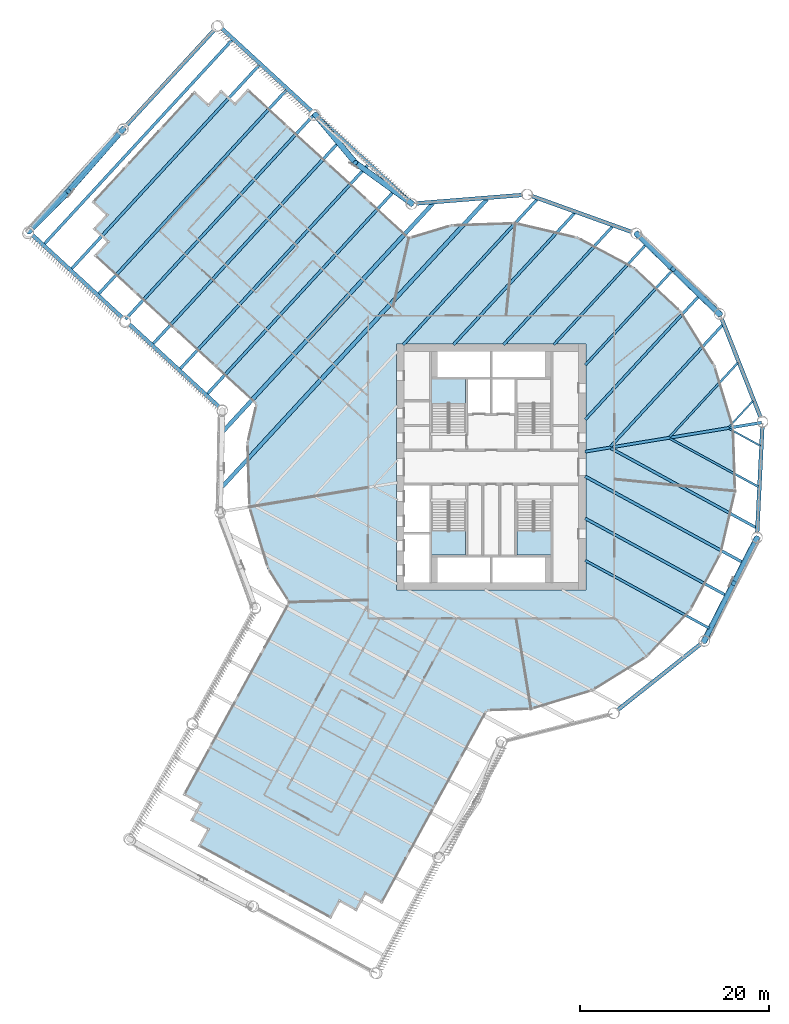
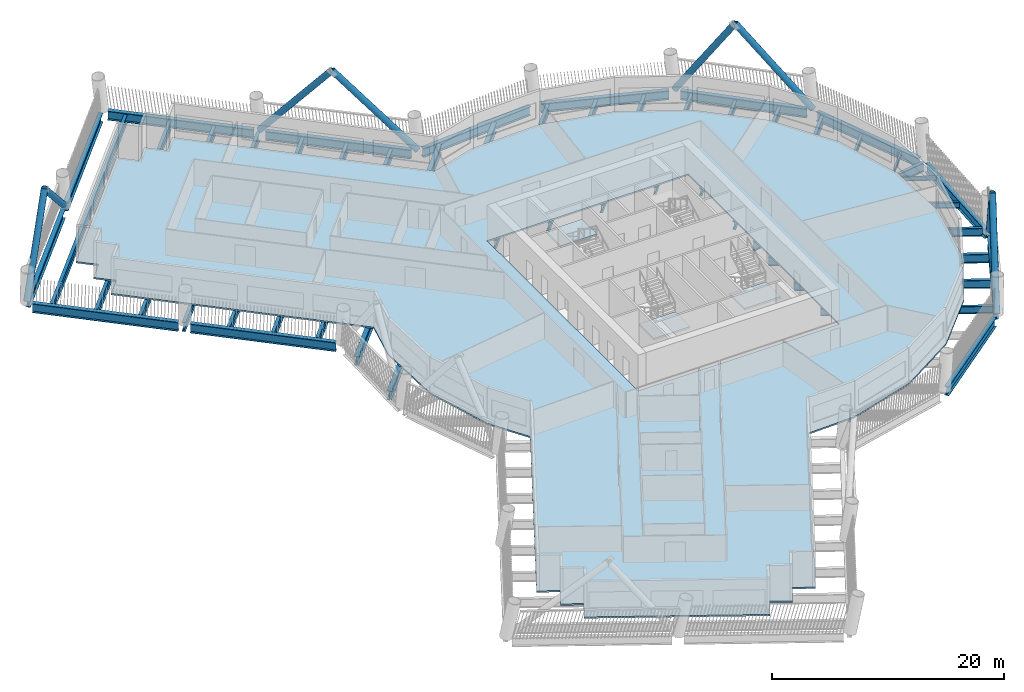
# One storey, part 2 of 24: 38 beams, 8 members, 4 slabs, 3 elements without a shape of their own.
"""IFC4 building model written with IfcOpenShell, lengths in metres."""

from ifc_helpers import new_model, si_unit, direction, frame, origin, origin_2d, place, context, subcontext, project, spatial, polyline, hollow_circle, i_section, outline, extrude, material, layer, layer_set, material_profile, profile_set, type_object, element, aggregate, save


model = new_model("IFC4")

# Units and contexts
model_context = context("Model", 3, precision=1e-05, world=origin(), true_north=direction((0.0, 1.0)))
body_context = subcontext(model_context, "Body", "Model", "MODEL_VIEW")
ifc_project = project(units=[si_unit("LENGTHUNIT", "METRE"), si_unit("AREAUNIT", "SQUARE_METRE"), si_unit("VOLUMEUNIT", "CUBIC_METRE"), si_unit("PLANEANGLEUNIT", "RADIAN"), si_unit("MASSUNIT", "GRAM", prefix="KILO")], contexts=[model_context])

# Site, building, storey
site_placement = place(None, origin())
site = spatial("IfcSite", under=ifc_project, at=site_placement, CompositionType="ELEMENT")
building_placement = place(site_placement, origin())
building = spatial("IfcBuilding", under=site, at=building_placement, Name="Tarsis Ring Headquarters", CompositionType="ELEMENT")
storey_placement = place(building_placement, frame((0.0, 0.0, 92.800048828125)))
storey = spatial("IfcBuildingStorey", under=building, at=storey_placement, Name="L20", CompositionType="ELEMENT", Elevation=92.800048828125)

# Beams
ifc_material_1 = material(Name="Structural steel S355", Category="steel")
ifc_material_profile_1 = material_profile(ifc_material_1, i_section(OverallWidth=0.177734375, OverallDepth=0.406494140625, WebThickness=0.0078125, FlangeThickness=0.0126953125, at=origin_2d()), Name="W16x40")
ifc_profile_set_1 = profile_set([ifc_material_profile_1], Name="Structural steel S355")
beam_type_1 = type_object("IfcBeamType", Name="FB Floor beam W16x40", PredefinedType="JOIST", material=ifc_profile_set_1)
for number, where, z_axis, x_axis, name in (
    (1, (25.13427734375, 4.04833984375, -0.36328125), (0.877646099823, -0.479309214876, 0.0), (0.479309214876, 0.877646099823, 0.0), "Floor beam FB1"),
    (2, (27.638671875, 6.985107421875, -0.36328125), (-0.677407007697, -0.735608418877, 0.0), (0.735608418877, -0.677407007697, 0.0), "Floor beam FB1"),
):
    element("IfcBeam", number, at=place(storey_placement, frame(where, z_axis=z_axis, x_axis=x_axis)), inside=storey, type_object=beam_type_1, Name=name, PredefinedType="JOIST", context=body_context, shape_type="SweptSolid", body=[
        extrude(i_section(OverallWidth=0.177734375, OverallDepth=0.406494140625, WebThickness=0.0078125, FlangeThickness=0.0126953125, at=origin_2d()), origin(), (0.0, 0.0, 1.0), 3.74169921875),
    ])
ifc_material_profile_2 = material_profile(ifc_material_1, i_section(OverallWidth=0.228271484375, OverallDepth=0.607177734375, WebThickness=0.01123046875, FlangeThickness=0.017333984375, at=origin_2d()), Name="W24x76")
ifc_profile_set_2 = profile_set([ifc_material_profile_2], Name="Structural steel S355")
beam_type_2 = type_object("IfcBeamType", Name="FB Floor beam W24x76", PredefinedType="JOIST", material=ifc_profile_set_2)
beam_1_placement = place(storey_placement, frame((18.884033203125, 3.01806640625, -0.463623046875), z_axis=(0.877649492811, -0.479303002045, 0.0), x_axis=(0.479303002045, 0.877649492811, 0.0)))
element("IfcBeam", 3, at=beam_1_placement, inside=storey, type_object=beam_type_2, Name="Floor beam FB4", PredefinedType="JOIST", context=body_context, shape_type="SweptSolid", body=[
    extrude(i_section(OverallWidth=0.228271484375, OverallDepth=0.607177734375, WebThickness=0.01123046875, FlangeThickness=0.017333984375, at=origin_2d()), origin(), (0.0, 0.0, 1.0), 10.621337890625),
])
beam_2_placement = place(storey_placement, frame((26.04833984375, 11.015625, -0.463623046875), z_axis=(-0.677383132439, -0.735630404406, 0.0), x_axis=(0.735630404406, -0.677383132439, 0.0)))
element("IfcBeam", 4, at=beam_2_placement, inside=storey, type_object=beam_type_2, Name="Floor beam FB4", PredefinedType="JOIST", context=body_context, shape_type="SweptSolid", body=[
    extrude(i_section(OverallWidth=0.228271484375, OverallDepth=0.607177734375, WebThickness=0.01123046875, FlangeThickness=0.017333984375, at=origin_2d()), origin(), (0.0, 0.0, 1.0), 10.62109375),
])
ifc_material_profile_3 = material_profile(ifc_material_1, i_section(OverallWidth=0.2666015625, OverallDepth=0.7568359375, WebThickness=0.013916015625, FlangeThickness=0.019287109375, at=origin_2d()), Name="W30x108")
ifc_profile_set_3 = profile_set([ifc_material_profile_3], Name="Structural steel S355")
beam_type_3 = type_object("IfcBeamType", Name="FB Floor beam W30x108", PredefinedType="JOIST", material=ifc_profile_set_3)
beam_3_placement = place(storey_placement, frame((9.912353515625, -9.85693359375, -0.53857421875), z_axis=(0.877646150826, -0.479309121486, 0.0), x_axis=(0.479309121486, 0.877646150826, 0.0)))
element("IfcBeam", 5, at=beam_3_placement, inside=storey, type_object=beam_type_3, Name="Floor beam FB6", PredefinedType="JOIST", context=body_context, shape_type="SweptSolid", body=[
    extrude(i_section(OverallWidth=0.2666015625, OverallDepth=0.7568359375, WebThickness=0.013916015625, FlangeThickness=0.019287109375, at=origin_2d()), origin(), (0.0, 0.0, 1.0), 14.969970703125),
])
beam_4_placement = place(storey_placement, frame((19.165283203125, 20.81298828125, -0.53857421875), z_axis=(-0.677382412807, -0.735631067057, 0.0), x_axis=(0.735631067057, -0.677382412807, 0.0)))
element("IfcBeam", 6, at=beam_4_placement, inside=storey, type_object=beam_type_3, Name="Floor beam FB6", PredefinedType="JOIST", context=body_context, shape_type="SweptSolid", body=[
    extrude(i_section(OverallWidth=0.2666015625, OverallDepth=0.7568359375, WebThickness=0.013916015625, FlangeThickness=0.019287109375, at=origin_2d()), origin(), (0.0, 0.0, 1.0), 13.63037109375),
])
beam_5_placement = place(storey_placement, frame((16.364990234375, 23.529296875, -0.53857421875), z_axis=(-0.677389654793, -0.73562439844, 0.0), x_axis=(0.73562439844, -0.677389654793, 0.0)))
element("IfcBeam", 7, at=beam_5_placement, inside=storey, type_object=beam_type_3, Name="Floor beam FB6", PredefinedType="JOIST", context=body_context, shape_type="SweptSolid", body=[
    extrude(i_section(OverallWidth=0.2666015625, OverallDepth=0.7568359375, WebThickness=0.013916015625, FlangeThickness=0.019287109375, at=origin_2d()), origin(), (0.0, 0.0, 1.0), 14.413330078125),
])
ifc_material_profile_4 = material_profile(ifc_material_1, i_section(OverallWidth=0.2919921875, OverallDepth=0.835693359375, WebThickness=0.013916015625, FlangeThickness=0.018798828125, at=origin_2d()), Name="W33x118")
ifc_profile_set_4 = profile_set([ifc_material_profile_4], Name="Structural steel S355")
beam_type_4 = type_object("IfcBeamType", Name="FB Floor beam W33x118", PredefinedType="JOIST", material=ifc_profile_set_4)
beam_6_placement = place(storey_placement, frame((12.6337890625, 1.98779296875, -0.577880859375), z_axis=(0.877647013395, -0.479307542063, 0.0), x_axis=(0.479307542063, 0.877647013395, 0.0)))
element("IfcBeam", 8, at=beam_6_placement, inside=storey, type_object=beam_type_4, Name="Floor beam FB7", PredefinedType="JOIST", context=body_context, shape_type="SweptSolid", body=[
    extrude(i_section(OverallWidth=0.2919921875, OverallDepth=0.835693359375, WebThickness=0.013916015625, FlangeThickness=0.018798828125, at=origin_2d()), origin(), (0.0, 0.0, 1.0), 17.500732421875),
])
beam_7_placement = place(storey_placement, frame((9.912353515625, -5.413330078125, -0.577880859375), z_axis=(0.87764571579, -0.479309918064, 0.0), x_axis=(0.479309918064, 0.87764571579, 0.0)))
element("IfcBeam", 9, at=beam_7_placement, inside=storey, type_object=beam_type_4, Name="Floor beam FB7", PredefinedType="JOIST", context=body_context, shape_type="SweptSolid", body=[
    extrude(i_section(OverallWidth=0.2919921875, OverallDepth=0.835693359375, WebThickness=0.013916015625, FlangeThickness=0.018798828125, at=origin_2d()), origin(), (0.0, 0.0, 1.0), 16.998779296875),
])
beam_8_placement = place(storey_placement, frame((24.458251953125, 15.046142578125, -0.577880859375), z_axis=(-0.677393126072, -0.735621201945, 0.0), x_axis=(0.735621201945, -0.677393126072, 0.0)))
element("IfcBeam", 10, at=beam_8_placement, inside=storey, type_object=beam_type_4, Name="Floor beam FB7", PredefinedType="JOIST", context=body_context, shape_type="SweptSolid", body=[
    extrude(i_section(OverallWidth=0.2919921875, OverallDepth=0.835693359375, WebThickness=0.013916015625, FlangeThickness=0.018798828125, at=origin_2d()), origin(), (0.0, 0.0, 1.0), 17.5009765625),
])
beam_9_placement = place(storey_placement, frame((21.9658203125, 18.0966796875, -0.577880859375), z_axis=(-0.677392003439, -0.735622235714, 0.0), x_axis=(0.735622235714, -0.677392003439, 0.0)))
element("IfcBeam", 11, at=beam_9_placement, inside=storey, type_object=beam_type_4, Name="Floor beam FB7", PredefinedType="JOIST", context=body_context, shape_type="SweptSolid", body=[
    extrude(i_section(OverallWidth=0.2919921875, OverallDepth=0.835693359375, WebThickness=0.013916015625, FlangeThickness=0.018798828125, at=origin_2d()), origin(), (0.0, 0.0, 1.0), 17.764404296875),
])
beam_10_placement = place(storey_placement, frame((12.820556640625, 25.4375, -0.577880859375), z_axis=(-0.677395429721, -0.735619080634, 0.0), x_axis=(0.735619080634, -0.677395429721, 0.0)))
element("IfcBeam", 12, at=beam_10_placement, inside=storey, type_object=beam_type_4, Name="Floor beam FB7", PredefinedType="JOIST", context=body_context, shape_type="SweptSolid", body=[
    extrude(i_section(OverallWidth=0.2919921875, OverallDepth=0.835693359375, WebThickness=0.013916015625, FlangeThickness=0.018798828125, at=origin_2d()), origin(), (0.0, 0.0, 1.0), 17.00732421875),
])
ifc_material_profile_5 = material_profile(ifc_material_1, i_section(OverallWidth=0.3046875, OverallDepth=0.904296875, WebThickness=0.01513671875, FlangeThickness=0.02001953125, at=origin_2d()), Name="W36x135")
ifc_profile_set_5 = profile_set([ifc_material_profile_5], Name="Structural steel S355")
beam_type_5 = type_object("IfcBeamType", Name="FB Floor beam W36x135", PredefinedType="JOIST", material=ifc_profile_set_5)
beam_11_placement = place(storey_placement, frame((9.912353515625, -0.9697265625, -0.612060546875), z_axis=(0.877650771, -0.47930066155, 0.0), x_axis=(0.47930066155, 0.877650771, 0.0)))
element("IfcBeam", 13, at=beam_11_placement, inside=storey, type_object=beam_type_5, Name="Floor beam FB8", PredefinedType="JOIST", context=body_context, shape_type="SweptSolid", body=[
    extrude(i_section(OverallWidth=0.3046875, OverallDepth=0.904296875, WebThickness=0.01513671875, FlangeThickness=0.02001953125, at=origin_2d()), origin(), (0.0, 0.0, 1.0), 19.02734375),
])
beam_12_placement = place(storey_placement, frame((8.838134765625, 26.8701171875, -0.612060546875), z_axis=(-0.677391578283, -0.735622627215, 0.0), x_axis=(0.735622627215, -0.677391578283, 0.0)))
element("IfcBeam", 14, at=beam_12_placement, inside=storey, type_object=beam_type_5, Name="Floor beam FB8", PredefinedType="JOIST", context=body_context, shape_type="SweptSolid", body=[
    extrude(i_section(OverallWidth=0.3046875, OverallDepth=0.904296875, WebThickness=0.01513671875, FlangeThickness=0.02001953125, at=origin_2d()), origin(), (0.0, 0.0, 1.0), 18.954833984375),
])
beam_13_placement = place(storey_placement, frame((4.855712890625, 28.302734375, -0.612060546875), z_axis=(-0.677388444489, -0.73562551293, 0.0), x_axis=(0.73562551293, -0.677388444489, 0.0)))
element("IfcBeam", 15, at=beam_13_placement, inside=storey, type_object=beam_type_5, Name="Floor beam FB8", PredefinedType="JOIST", context=body_context, shape_type="SweptSolid", body=[
    extrude(i_section(OverallWidth=0.3046875, OverallDepth=0.904296875, WebThickness=0.01513671875, FlangeThickness=0.02001953125, at=origin_2d()), origin(), (0.0, 0.0, 1.0), 20.90234375),
])
ifc_material_profile_6 = material_profile(ifc_material_1, i_section(OverallWidth=0.309814453125, OverallDepth=0.949951171875, WebThickness=0.0244140625, FlangeThickness=0.0439453125, at=origin_2d()), Name="W36x256")
ifc_profile_set_6 = profile_set([ifc_material_profile_6], Name="Structural steel S355")
beam_type_6 = type_object("IfcBeamType", Name="FB Floor beam W36x256", PredefinedType="JOIST", material=ifc_profile_set_6)
for number, where, z_axis, x_axis, name in (
    (16, (-10.133056640625, 29.297607421875, -0.635009765625), (-0.677389726351, -0.735624332546, 0.0), (0.735624332546, -0.677389726351, 0.0), "Floor beam FB11"),
    (17, (-13.001953125, 31.939453125, -0.635009765625), (-0.677389726351, -0.735624332546, 0.0), (0.735624332546, -0.677389726351, 0.0), "Floor beam FB11"),
):
    element("IfcBeam", number, at=place(storey_placement, frame(where, z_axis=z_axis, x_axis=x_axis)), inside=storey, type_object=beam_type_6, Name=name, PredefinedType="JOIST", context=body_context, shape_type="SweptSolid", body=[
        extrude(i_section(OverallWidth=0.309814453125, OverallDepth=0.949951171875, WebThickness=0.0244140625, FlangeThickness=0.0439453125, at=origin_2d()), origin(), (0.0, 0.0, 1.0), 29.3759765625),
    ])
for number, where, z_axis, x_axis, name in (
    (18, (-15.87109375, 34.5810546875, -0.635009765625), (-0.677389370317, -0.735624660395, 0.0), (0.735624660395, -0.677389370317, 0.0), "Floor beam FB11"),
    (19, (-18.739990234375, 37.222900390625, -0.635009765625), (-0.677389370317, -0.735624660395, 0.0), (0.735624660395, -0.677389370317, 0.0), "Floor beam FB11"),
):
    element("IfcBeam", number, at=place(storey_placement, frame(where, z_axis=z_axis, x_axis=x_axis)), inside=storey, type_object=beam_type_6, Name=name, PredefinedType="JOIST", context=body_context, shape_type="SweptSolid", body=[
        extrude(i_section(OverallWidth=0.309814453125, OverallDepth=0.949951171875, WebThickness=0.0244140625, FlangeThickness=0.0439453125, at=origin_2d()), origin(), (0.0, 0.0, 1.0), 29.37548828125),
    ])
for number, where, z_axis, x_axis, name in (
    (20, (-21.60888671875, 39.86474609375, -0.635009765625), (-0.677389726351, -0.735624332546, 0.0), (0.735624332546, -0.677389726351, 0.0), "Floor beam FB11"),
    (21, (-24.477783203125, 42.506591796875, -0.635009765625), (-0.677389726351, -0.735624332546, 0.0), (0.735624332546, -0.677389726351, 0.0), "Floor beam FB11"),
    (22, (-27.3466796875, 45.1484375, -0.635009765625), (-0.677389726351, -0.735624332546, 0.0), (0.735624332546, -0.677389726351, 0.0), "Floor beam FB11"),
):
    element("IfcBeam", number, at=place(storey_placement, frame(where, z_axis=z_axis, x_axis=x_axis)), inside=storey, type_object=beam_type_6, Name=name, PredefinedType="JOIST", context=body_context, shape_type="SweptSolid", body=[
        extrude(i_section(OverallWidth=0.309814453125, OverallDepth=0.949951171875, WebThickness=0.0244140625, FlangeThickness=0.0439453125, at=origin_2d()), origin(), (0.0, 0.0, 1.0), 29.3759765625),
    ])
beam_type_7 = type_object("IfcBeamType", Name="FB Floor beam W36x256 spine", PredefinedType="BEAM", material=ifc_profile_set_6)
beam_14_placement = place(storey_placement, frame((28.54638671875, 4.705322265625, -0.635009765625), z_axis=(-0.986686359495, -0.162634645716, 0.0), x_axis=(0.162634645716, -0.986686359495, 0.0)))
element("IfcBeam", 23, at=beam_14_placement, inside=storey, type_object=beam_type_7, Name="Floor beam SB11", PredefinedType="BEAM", context=body_context, shape_type="SweptSolid", body=[
    extrude(i_section(OverallWidth=0.309814453125, OverallDepth=0.949951171875, WebThickness=0.0244140625, FlangeThickness=0.0439453125, at=origin_2d()), origin(), (0.0, 0.0, 1.0), 18.896484375),
])
ifc_material_profile_7 = material_profile(ifc_material_1, i_section(OverallWidth=0.42431640625, OverallDepth=0.947509765625, WebThickness=0.02392578125, FlangeThickness=0.042724609375, at=origin_2d()), Name="W36x302")
ifc_profile_set_7 = profile_set([ifc_material_profile_7], Name="Structural steel S355")
beam_type_8 = type_object("IfcBeamType", Name="FB Floor beam W36x302", PredefinedType="JOIST", material=ifc_profile_set_7)
beam_15_placement = place(storey_placement, frame((-0.443115234375, 28.3056640625, -0.6337890625), z_axis=(-0.67739245103, -0.735621823553, 0.0), x_axis=(0.735621823553, -0.67739245103, 0.0)))
element("IfcBeam", 24, at=beam_15_placement, inside=storey, type_object=beam_type_8, Name="Floor beam FB12", PredefinedType="JOIST", context=body_context, shape_type="SweptSolid", body=[
    extrude(i_section(OverallWidth=0.42431640625, OverallDepth=0.947509765625, WebThickness=0.02392578125, FlangeThickness=0.042724609375, at=origin_2d()), origin(), (0.0, 0.0, 1.0), 41.35302734375),
])
beam_16_placement = place(storey_placement, frame((-6.164794921875, 27.849609375, -0.6337890625), z_axis=(-0.677389766878, -0.735624295227, 0.0), x_axis=(0.735624295227, -0.677389766878, 0.0)))
element("IfcBeam", 25, at=beam_16_placement, inside=storey, type_object=beam_type_8, Name="Floor beam FB12", PredefinedType="JOIST", context=body_context, shape_type="SweptSolid", body=[
    extrude(i_section(OverallWidth=0.42431640625, OverallDepth=0.947509765625, WebThickness=0.02392578125, FlangeThickness=0.042724609375, at=origin_2d()), origin(), (0.0, 0.0, 1.0), 32.70458984375),
])

# Members
ifc_material_profile_8 = material_profile(ifc_material_1, hollow_circle(Radius=0.3046875, WallThickness=0.02490234375, at=origin_2d()), Name="CHS 610x25")
ifc_profile_set_8 = profile_set([ifc_material_profile_8], Name="Structural steel S355")
member_type = type_object("IfcMemberType", Name="XD X brace CHS 610x25", PredefinedType="BRACE", material=ifc_profile_set_8)
member_1_placement = place(storey_placement, frame((22.470947265625, -18.40869140625, 0.0), z_axis=(0.301415740117, 0.589888540636, 0.749119523999), x_axis=(-0.890485358791, 0.455011896305, 0.0)))
element("IfcMember", 26, at=member_1_placement, inside=storey, type_object=member_type, Name="X brace XD1", PredefinedType="BRACE", context=body_context, shape_type="SweptSolid", body=[
    extrude(hollow_circle(Radius=0.3046875, WallThickness=0.02490234375, at=origin_2d()), origin(), (0.0, 0.0, 1.0), 10.412353515625),
])
member_2_placement = place(storey_placement, frame((28.06103515625, -7.509765625, 0.0), z_axis=(-0.25917910239, -0.502872498603, 0.82458804444), x_axis=(0.888885614529, -0.458129200426, 0.0)))
element("IfcMember", 27, at=member_2_placement, inside=storey, type_object=member_type, Name="X brace XD1", PredefinedType="BRACE", context=body_context, shape_type="SweptSolid", body=[
    extrude(hollow_circle(Radius=0.3046875, WallThickness=0.02490234375, at=origin_2d()), origin(), (0.0, 0.0, 1.0), 9.459228515625),
])
member_3_placement = place(storey_placement, frame((24.166259765625, 16.118408203125, 0.0), z_axis=(-0.476196270943, 0.460486413169, 0.749125740331), x_axis=(-0.695149561696, -0.718865138168, 0.0)))
element("IfcMember", 28, at=member_3_placement, inside=storey, type_object=member_type, Name="X brace XD1", PredefinedType="BRACE", context=body_context, shape_type="SweptSolid", body=[
    extrude(hollow_circle(Radius=0.3046875, WallThickness=0.02490234375, at=origin_2d()), origin(), (0.0, 0.0, 1.0), 10.412109375),
])
member_4_placement = place(storey_placement, frame((15.3740234375, 24.646728515625, 0.0), z_axis=(0.40530938475, -0.39470175885, 0.824581605539), x_axis=(0.697669680466, 0.716419581641, 0.0)))
element("IfcMember", 29, at=member_4_placement, inside=storey, type_object=member_type, Name="X brace XD1", PredefinedType="BRACE", context=body_context, shape_type="SweptSolid", body=[
    extrude(hollow_circle(Radius=0.3046875, WallThickness=0.02490234375, at=origin_2d()), origin(), (0.0, 0.0, 1.0), 9.45947265625),
])
member_5_placement = place(storey_placement, frame((-8.362060546875, 27.81884765625, 0.0), z_axis=(-0.55768634537, 0.402858023508, 0.725735043307), x_axis=(-0.585571320736, -0.810620890634, 0.0)))
element("IfcMember", 30, at=member_5_placement, inside=storey, type_object=member_type, Name="X brace XD1", PredefinedType="BRACE", context=body_context, shape_type="SweptSolid", body=[
    extrude(hollow_circle(Radius=0.3046875, WallThickness=0.02490234375, at=origin_2d()), origin(), (0.0, 0.0, 1.0), 10.747802734375),
])
member_6_placement = place(storey_placement, frame((-18.5888671875, 37.236083984375, 0.0), z_axis=(0.413799806527, -0.497333046972, 0.762515285426), x_axis=(0.768710903668, 0.639596393502, 0.0)))
element("IfcMember", 31, at=member_6_placement, inside=storey, type_object=member_type, Name="X brace XD1", PredefinedType="BRACE", context=body_context, shape_type="SweptSolid", body=[
    extrude(hollow_circle(Radius=0.3046875, WallThickness=0.02490234375, at=origin_2d()), origin(), (0.0, 0.0, 1.0), 10.229248046875),
])
member_7_placement = place(storey_placement, frame((-38.841064453125, 35.76611328125, 0.0), z_axis=(-0.493905414811, -0.564057961987, 0.661737150793), x_axis=(0.752342191684, -0.65877251507, 0.0)))
element("IfcMember", 32, at=member_7_placement, inside=storey, type_object=member_type, Name="X brace XD1", PredefinedType="BRACE", context=body_context, shape_type="SweptSolid", body=[
    extrude(hollow_circle(Radius=0.3046875, WallThickness=0.02490234375, at=origin_2d()), origin(), (0.0, 0.0, 1.0), 11.787109375),
])
member_8_placement = place(storey_placement, frame((-48.866455078125, 24.87890625, 0.0), z_axis=(0.427969291038, 0.4315236881, 0.7941219003), x_axis=(-0.710024920136, 0.704176549444, 0.0)))
element("IfcMember", 33, at=member_8_placement, inside=storey, type_object=member_type, Name="X brace XD1", PredefinedType="BRACE", context=body_context, shape_type="SweptSolid", body=[
    extrude(hollow_circle(Radius=0.3046875, WallThickness=0.02490234375, at=origin_2d()), origin(), (0.0, 0.0, 1.0), 9.822265625),
])

# Beams
beam_type_9 = type_object("IfcBeamType", Name="XG Ring girder W36x302", PredefinedType="BEAM", material=ifc_profile_set_7)
for number, where, z_axis, x_axis, name in (
    (34, (13.296875, -25.70703125, -0.4736328125), (0.782554940853, 0.622581532449, 0.0), (-0.622581532449, 0.782554940853, 0.0), "Ring girder XG1"),
    (35, (22.7109375, -17.940673828125, -0.4736328125), (0.456373749486, 0.889788177478, 0.0), (-0.889788177478, 0.456373749486, 0.0), "Ring girder XG1"),
    (36, (28.0869140625, -6.984619140625, -0.4736328125), (0.04903609485, 0.998797007105, 0.0), (-0.998797007105, 0.04903609485, 0.0), "Ring girder XG1"),
    (37, (28.46875, 5.21337890625, -0.4736328125), (-0.366995758766, 0.93022261478, 0.0), (-0.93022261478, -0.366995758766, 0.0), "Ring girder XG1"),
):
    element("IfcBeam", number, at=place(storey_placement, frame(where, z_axis=z_axis, x_axis=x_axis)), inside=storey, type_object=beam_type_9, Name=name, PredefinedType="BEAM", context=body_context, shape_type="SweptSolid", body=[
        extrude(i_section(OverallWidth=0.42431640625, OverallDepth=0.947509765625, WebThickness=0.02392578125, FlangeThickness=0.042724609375, at=origin_2d()), origin(), (0.0, 0.0, 1.0), 11.197265625),
    ])
beam_17_placement = place(storey_placement, frame((23.788818359375, 16.484619140625, -0.4736328125), z_axis=(-0.717806608443, 0.696242538829, 0.0), x_axis=(-0.696242538829, -0.717806608443, 0.0)))
element("IfcBeam", 38, at=beam_17_placement, inside=storey, type_object=beam_type_9, Name="Ring girder XG1", PredefinedType="BEAM", context=body_context, shape_type="SweptSolid", body=[
    extrude(i_section(OverallWidth=0.42431640625, OverallDepth=0.947509765625, WebThickness=0.02392578125, FlangeThickness=0.042724609375, at=origin_2d()), origin(), (0.0, 0.0, 1.0), 11.197021484375),
])
beam_18_placement = place(storey_placement, frame((14.87939453125, 24.824462890625, -0.4736328125), z_axis=(-0.940976876611, 0.338470852044, 0.0), x_axis=(-0.338470852044, -0.940976876611, 0.0)))
element("IfcBeam", 39, at=beam_18_placement, inside=storey, type_object=beam_type_9, Name="Ring girder XG1", PredefinedType="BEAM", context=body_context, shape_type="SweptSolid", body=[
    extrude(i_section(OverallWidth=0.42431640625, OverallDepth=0.947509765625, WebThickness=0.02392578125, FlangeThickness=0.042724609375, at=origin_2d()), origin(), (0.0, 0.0, 1.0), 11.197509765625),
])
beam_19_placement = place(storey_placement, frame((3.323974609375, 28.750732421875, -0.4736328125), z_axis=(-0.9968369412, -0.07947397473, 0.0), x_axis=(0.07947397473, -0.9968369412, 0.0)))
element("IfcBeam", 40, at=beam_19_placement, inside=storey, type_object=beam_type_9, Name="Ring girder XG1", PredefinedType="BEAM", context=body_context, shape_type="SweptSolid", body=[
    extrude(i_section(OverallWidth=0.42431640625, OverallDepth=0.947509765625, WebThickness=0.02392578125, FlangeThickness=0.042724609375, at=origin_2d()), origin(), (0.0, 0.0, 1.0), 11.197265625),
])
for number, where, z_axis, x_axis, name in (
    (41, (-8.748779296875, 28.175048828125, -0.4736328125), (-0.735612865996, 0.677402178459, 0.0), (-0.677402178459, -0.735612865996, 0.0), "Ring girder XG1"),
    (42, (-18.9755859375, 37.59228515625, -0.4736328125), (-0.735612865996, 0.677402178459, 0.0), (-0.677402178459, -0.735612865996, 0.0), "Ring girder XG1"),
):
    element("IfcBeam", number, at=place(storey_placement, frame(where, z_axis=z_axis, x_axis=x_axis)), inside=storey, type_object=beam_type_9, Name=name, PredefinedType="BEAM", context=body_context, shape_type="SweptSolid", body=[
        extrude(i_section(OverallWidth=0.42431640625, OverallDepth=0.947509765625, WebThickness=0.02392578125, FlangeThickness=0.042724609375, at=origin_2d()), origin(), (0.0, 0.0, 1.0), 12.8505859375),
    ])
for number, where, z_axis, x_axis, name in (
    (43, (-29.171875, 46.2666015625, -0.4736328125), (-0.677384226629, -0.735629396853, 0.0), (0.735629396853, -0.677384226629, 0.0), "Ring girder XG1"),
    (44, (-39.197021484375, 35.37939453125, -0.4736328125), (-0.677393836032, -0.735620548181, 0.0), (0.735620548181, -0.677393836032, 0.0), "Ring girder XG1"),
):
    element("IfcBeam", number, at=place(storey_placement, frame(where, z_axis=z_axis, x_axis=x_axis)), inside=storey, type_object=beam_type_9, Name=name, PredefinedType="BEAM", context=body_context, shape_type="SweptSolid", body=[
        extrude(i_section(OverallWidth=0.42431640625, OverallDepth=0.947509765625, WebThickness=0.02392578125, FlangeThickness=0.042724609375, at=origin_2d()), origin(), (0.0, 0.0, 1.0), 13.74853515625),
    ])
for number, where, z_axis, x_axis, name in (
    (45, (-48.4794921875, 24.522705078125, -0.4736328125), (0.735622332991, -0.6773918978, 0.0), (0.6773918978, 0.735622332991, 0.0), "Ring girder XG1"),
    (46, (-38.252685546875, 15.10546875, -0.4736328125), (0.735622332991, -0.6773918978, 0.0), (0.6773918978, 0.735622332991, 0.0), "Ring girder XG1"),
):
    element("IfcBeam", number, at=place(storey_placement, frame(where, z_axis=z_axis, x_axis=x_axis)), inside=storey, type_object=beam_type_9, Name=name, PredefinedType="BEAM", context=body_context, shape_type="SweptSolid", body=[
        extrude(i_section(OverallWidth=0.42431640625, OverallDepth=0.947509765625, WebThickness=0.02392578125, FlangeThickness=0.042724609375, at=origin_2d()), origin(), (0.0, 0.0, 1.0), 12.8505859375),
    ])

# Stair, slab
ifc_material_2 = material(Name="Core stair 1760")
stair_type = type_object("IfcStairType", Name="Core stair 1760", PredefinedType="HALF_TURN_STAIR", material=ifc_material_2)
stair_1_placement = place(storey_placement, origin())
stair_1 = element("IfcStair", 47, at=stair_1_placement, inside=storey, type_object=stair_type, Name="L20 Firefighting stair", PredefinedType="HALF_TURN_STAIR")
ifc_material_3 = material(Name="Concrete C40/50", Category="concrete")
ifc_layer_1 = layer(ifc_material_3, 0.199951171875)
ifc_layer_set_1 = layer_set([ifc_layer_1], Name="Core stair landing 200")
slab_type_1 = type_object("IfcSlabType", Name="Core stair landing 200", PredefinedType="LANDING", material=ifc_layer_set_1)
slab_1_placement = place(storey_placement, frame((0.0, 0.0, 1.75)))
slab_1 = element("IfcSlab", 48, at=slab_1_placement, type_object=slab_type_1, Name="Stair ST1 landing 1", PredefinedType="LANDING", context=body_context, shape_type="SweptSolid", body=[
    extrude(outline(polyline([(-2.699951171875, 6.739990234375), (-2.699951171875, 9.300048828125), (-6.300048828125, 9.300048828125), (-6.300048828125, 6.739990234375), (-2.699951171875, 6.739990234375)])), origin(), (0.0, 0.0, 1.0), 0.199951171875),
])
aggregate(stair_1, [slab_1])

stair_2_placement = place(storey_placement, origin())
stair_2 = element("IfcStair", 49, at=stair_2_placement, inside=storey, type_object=stair_type, Name="L20 Exit stair C", PredefinedType="HALF_TURN_STAIR")
slab_2_placement = place(storey_placement, frame((0.0, 0.0, 1.75)))
slab_2 = element("IfcSlab", 50, at=slab_2_placement, type_object=slab_type_1, Name="Stair ST3 landing 1", PredefinedType="LANDING", context=body_context, shape_type="SweptSolid", body=[
    extrude(outline(polyline([(-6.300048828125, -6.739990234375), (-6.300048828125, -9.300048828125), (-2.699951171875, -9.300048828125), (-2.699951171875, -6.739990234375), (-6.300048828125, -6.739990234375)])), origin(), (0.0, 0.0, 1.0), 0.199951171875),
])
aggregate(stair_2, [slab_2])

stair_3_placement = place(storey_placement, origin())
stair_3 = element("IfcStair", 51, at=stair_3_placement, inside=storey, type_object=stair_type, Name="L20 Exit stair D", PredefinedType="HALF_TURN_STAIR")
slab_3_placement = place(storey_placement, frame((0.0, 0.0, 1.75)))
slab_3 = element("IfcSlab", 52, at=slab_3_placement, type_object=slab_type_1, Name="Stair ST4 landing 1", PredefinedType="LANDING", context=body_context, shape_type="SweptSolid", body=[
    extrude(outline(polyline([(2.699951171875, -6.739990234375), (2.699951171875, -9.300048828125), (6.300048828125, -9.300048828125), (6.300048828125, -6.739990234375), (2.699951171875, -6.739990234375)])), origin(), (0.0, 0.0, 1.0), 0.199951171875),
])
aggregate(stair_3, [slab_3])

# Slab
ifc_material_4 = material(Name="Concrete C35/45", Category="concrete")
ifc_layer_2 = layer(ifc_material_4, 0.159912109375)
ifc_layer_set_2 = layer_set([ifc_layer_2], Name="FS Composite floor slab 160")
slab_type_2 = type_object("IfcSlabType", Name="FS Composite floor slab 160", PredefinedType="FLOOR", material=ifc_layer_set_2)
slab_4_placement = place(storey_placement, frame((0.0, 0.0, -0.16015625)))
element("IfcSlab", 53, at=slab_4_placement, inside=storey, type_object=slab_type_2, Name="Floor slab L20", PredefinedType="FLOOR", context=body_context, shape_type="SweptSolid", body=[
    extrude(outline(polyline([(-24.921630859375, 6.635986328125), (-25.8740234375, 2.55517578125), (-25.65380859375, -4.228515625), (-23.685302734375, -10.72412109375), (-21.473388671875, -14.283203125), (-32.579833984375, -34.6201171875), (-30.824462890625, -35.578857421875), (-31.783203125, -37.333984375), (-30.02783203125, -38.292724609375), (-30.986328125, -40.048095703125), (-16.944091796875, -47.716796875), (-15.9853515625, -45.961669921875), (-14.230224609375, -46.920166015625), (-13.271484375, -45.164794921875), (-11.51611328125, -46.12353515625), (-0.419677734375, -25.8046875), (4.228515625, -25.65380859375), (10.72412109375, -23.685302734375), (16.489013671875, -20.1025390625), (21.130126953125, -15.14990234375), (24.3310546875, -9.164794921875), (25.8740234375, -2.55517578125), (25.65380859375, 4.228515625), (23.685302734375, 10.72412109375), (20.1025390625, 16.489013671875), (15.14990234375, 21.130126953125), (9.164794921875, 24.3310546875), (2.55517578125, 25.8740234375), (-4.228515625, 25.65380859375), (-8.679443359375, 24.304931640625), (-25.7099609375, 39.9873046875), (-27.06494140625, 38.51611328125), (-28.5361328125, 39.870849609375), (-29.890869140625, 38.399658203125), (-31.362060546875, 39.75439453125), (-42.200439453125, 27.984375), (-40.72900390625, 26.629638671875), (-42.083984375, 25.158447265625), (-40.612548828125, 23.8037109375), (-41.96728515625, 22.33251953125), (-24.921630859375, 6.635986328125)]), holes=[polyline([(-10.0, -13.0), (-10.0, 13.0), (10.0, 13.0), (10.0, -13.0), (-10.0, -13.0)])]), origin(), (0.0, 0.0, 1.0), 0.16015625),
])

save(model, "model.ifc")
